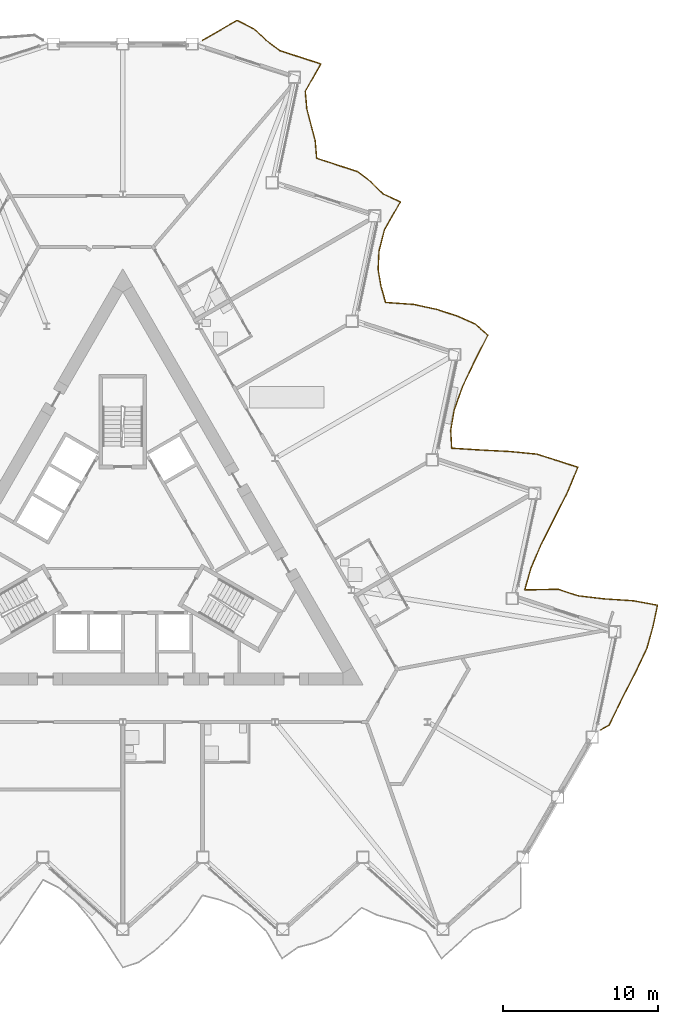
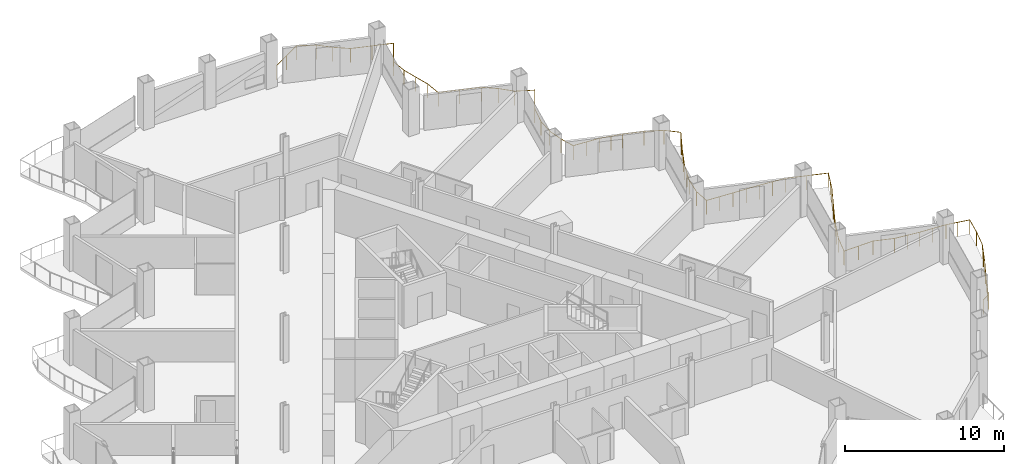
# One storey, part 20 of 22: 1 railing.
"""IFC4 building model written with IfcOpenShell, lengths in metres."""

from ifc_helpers import new_model, si_unit, direction, frame, origin, origin_2d, place, context, subcontext, project, spatial, circle, extrude, material, type_object, element, save


model = new_model("IFC4")

# Units and contexts
model_context = context("Model", 3, precision=1e-05, world=origin(), true_north=direction((0.0, 1.0)))
body_context = subcontext(model_context, "Body", "Model", "MODEL_VIEW")
ifc_project = project(units=[si_unit("LENGTHUNIT", "METRE"), si_unit("AREAUNIT", "SQUARE_METRE"), si_unit("VOLUMEUNIT", "CUBIC_METRE"), si_unit("PLANEANGLEUNIT", "RADIAN"), si_unit("MASSUNIT", "GRAM", prefix="KILO")], contexts=[model_context])

# Site, building, storey
site_placement = place(None, origin())
site = spatial("IfcSite", under=ifc_project, at=site_placement, CompositionType="ELEMENT")
building_placement = place(site_placement, origin())
building = spatial("IfcBuilding", under=site, at=building_placement, Name="Cormorant Prow Tower", CompositionType="ELEMENT")
storey_placement = place(building_placement, frame((0.0, 0.0, 198.0)))
storey = spatial("IfcBuildingStorey", under=building, at=storey_placement, Name="L43", CompositionType="ELEMENT", Elevation=198.0)

# Railing
ifc_material = material(Name="Aluminium 6063-T6", Category="aluminium")
railing_type = type_object("IfcRailingType", Name="Balcony guard 1100", PredefinedType="GUARDRAIL", material=ifc_material)
railing_placement = place(storey_placement, frame((30.84130859375, -11.861083984375, 0.0)))
element("IfcRailing", 1, at=railing_placement, inside=storey, type_object=railing_type, Name="Balcony guard ENE", PredefinedType="GUARDRAIL", context=body_context, shape_type="SweptSolid", body=[
    extrude(circle(Radius=0.02392578125, at=origin_2d()), frame((0.0, 0.0, 1.076171875), z_axis=(0.866038622153, 0.499977104415, 0.0), x_axis=(-0.499977104415, 0.866038622153, 0.0)), (0.0, 0.0, 1.0), 0.63623046875),
    extrude(circle(Radius=0.02392578125, at=origin_2d()), frame((0.551025390625, 0.318115234375, 1.076171875), z_axis=(0.434386355726, 0.900726647746, 0.0), x_axis=(-0.900726647746, 0.434386355726, 0.0)), (0.0, 0.0, 1.0), 1.826171875),
    extrude(circle(Radius=0.02392578125, at=origin_2d()), frame((1.34423828125, 1.962890625, 1.076171875), z_axis=(0.457321852197, 0.889301255764, 0.0), x_axis=(-0.889301255764, 0.457321852197, 0.0)), (0.0, 0.0, 1.0), 1.89794921875),
    extrude(circle(Radius=0.02392578125, at=origin_2d()), frame((2.212158203125, 3.650634765625, 1.076171875), z_axis=(0.428712717597, 0.903440870102, 0.0), x_axis=(-0.903440870102, 0.428712717597, 0.0)), (0.0, 0.0, 1.0), 1.809326171875),
    extrude(circle(Radius=0.02392578125, at=origin_2d()), frame((2.98779296875, 5.28515625, 1.076171875), z_axis=(0.265319371421, 0.964160583694, 0.0), x_axis=(-0.964160583694, 0.265319371421, 0.0)), (0.0, 0.0, 1.0), 1.463134765625),
    extrude(circle(Radius=0.02392578125, at=origin_2d()), frame((3.3759765625, 6.69580078125, 1.076171875), z_axis=(0.207780635717, 0.978175448179, 0.0), x_axis=(-0.978175448179, 0.207780635717, 0.0)), (0.0, 0.0, 1.0), 1.383056640625),
    extrude(circle(Radius=0.02392578125, at=origin_2d()), frame((3.663330078125, 8.048583984375, 1.076171875), z_axis=(-0.983041421692, 0.183383650408, 0.0), x_axis=(-0.183383650408, -0.983041421692, 0.0)), (0.0, 0.0, 1.0), 1.580322265625),
    extrude(circle(Radius=0.02392578125, at=origin_2d()), frame((2.10986328125, 8.33837890625, 1.076171875), z_axis=(-0.9979681925, 0.063714101724, 0.0), x_axis=(-0.063714101724, -0.9979681925, 0.0)), (0.0, 0.0, 1.0), 1.8544921875),
    extrude(circle(Radius=0.02392578125, at=origin_2d()), frame((0.259033203125, 8.45654296875, 1.076171875), z_axis=(-0.993301704928, 0.11554965594, 0.0), x_axis=(-0.11554965594, -0.993301704928, 0.0)), (0.0, 0.0, 1.0), 1.721923828125),
    extrude(circle(Radius=0.02392578125, at=origin_2d()), frame((-1.451416015625, 8.655517578125, 1.076171875), z_axis=(-0.951022391845, 0.309121998909, 0.0), x_axis=(-0.309121998909, -0.951022391845, 0.0)), (0.0, 0.0, 1.0), 1.3828125),
    extrude(circle(Radius=0.02392578125, at=origin_2d()), frame((-2.7666015625, 9.0830078125, 1.076171875), z_axis=(-0.999764166606, -0.021716610456, 0.0), x_axis=(0.021716610456, -0.999764166606, 0.0)), (0.0, 0.0, 1.0), 2.135986328125),
    extrude(circle(Radius=0.02392578125, at=origin_2d()), frame((-4.902099609375, 9.03662109375, 1.076171875), z_axis=(0.274284638474, 0.961648551758, 0.0), x_axis=(-0.961648551758, 0.274284638474, 0.0)), (0.0, 0.0, 1.0), 1.4775390625),
    extrude(circle(Radius=0.02392578125, at=origin_2d()), frame((-4.496826171875, 10.45751953125, 1.076171875), z_axis=(0.396365386796, 0.918092849417, 0.0), x_axis=(-0.918092849417, 0.396365386796, 0.0)), (0.0, 0.0, 1.0), 1.7216796875),
    extrude(circle(Radius=0.02392578125, at=origin_2d()), frame((-3.814453125, 12.0380859375, 1.076171875), z_axis=(0.45064577114, 0.892702855912, 0.0), x_axis=(-0.892702855912, 0.45064577114, 0.0)), (0.0, 0.0, 1.0), 1.876220703125),
    extrude(circle(Radius=0.02392578125, at=origin_2d()), frame((-2.968994140625, 13.712890625, 1.076171875), z_axis=(0.451522217854, 0.89225987626, 0.0), x_axis=(-0.89225987626, 0.451522217854, 0.0)), (0.0, 0.0, 1.0), 1.87890625),
    extrude(circle(Radius=0.02392578125, at=origin_2d()), frame((-2.12060546875, 15.389404296875, 1.076171875), z_axis=(0.382488079888, 0.923960425962, 0.0), x_axis=(-0.923960425962, 0.382488079888, 0.0)), (0.0, 0.0, 1.0), 1.687744140625),
    extrude(circle(Radius=0.02392578125, at=origin_2d()), frame((-1.47509765625, 16.94873046875, 1.076171875), z_axis=(-0.951074280921, 0.308962315131, 0.0), x_axis=(-0.308962315131, -0.951074280921, 0.0)), (0.0, 0.0, 1.0), 1.3828125),
    extrude(circle(Radius=0.02392578125, at=origin_2d()), frame((-2.790283203125, 17.3759765625, 1.076171875), z_axis=(-0.953178854012, 0.302407129981, 0.0), x_axis=(-0.302407129981, -0.953178854012, 0.0)), (0.0, 0.0, 1.0), 1.391845703125),
    extrude(circle(Radius=0.02392578125, at=origin_2d()), frame((-4.116943359375, 17.796875, 1.076171875), z_axis=(-0.995222994307, 0.097627821868, 0.0), x_axis=(-0.097627821868, -0.995222994307, 0.0)), (0.0, 0.0, 1.0), 1.765625),
    extrude(circle(Radius=0.02392578125, at=origin_2d()), frame((-5.8740234375, 17.96923828125, 1.076171875), z_axis=(-0.998698310981, 0.051006701944, 0.0), x_axis=(-0.051006701944, -0.998698310981, 0.0)), (0.0, 0.0, 1.0), 1.890625),
    extrude(circle(Radius=0.02392578125, at=origin_2d()), frame((-7.76220703125, 18.065673828125, 1.076171875), z_axis=(-0.998050532941, 0.062411006207, 0.0), x_axis=(-0.062411006207, -0.998050532941, 0.0)), (0.0, 0.0, 1.0), 1.858154296875),
    extrude(circle(Radius=0.02392578125, at=origin_2d()), frame((-9.61669921875, 18.181640625, 1.076171875), z_axis=(-0.054671928669, 0.998504371656, 0.0), x_axis=(-0.998504371656, -0.054671928669, 0.0)), (0.0, 0.0, 1.0), 1.152099609375),
    extrude(circle(Radius=0.02392578125, at=origin_2d()), frame((-9.6796875, 19.33203125, 1.076171875), z_axis=(0.169491002554, 0.985531734676, 0.0), x_axis=(-0.985531734676, 0.169491002554, 0.0)), (0.0, 0.0, 1.0), 1.336669921875),
    extrude(circle(Radius=0.02392578125, at=origin_2d()), frame((-9.453125, 20.6494140625, 1.076171875), z_axis=(0.336365626232, 0.941731472071, 0.0), x_axis=(-0.941731472071, 0.336365626232, 0.0)), (0.0, 0.0, 1.0), 1.58740234375),
    extrude(circle(Radius=0.02392578125, at=origin_2d()), frame((-8.919189453125, 22.144287109375, 1.076171875), z_axis=(0.426800368359, 0.90434586612, 0.0), x_axis=(-0.90434586612, 0.426800368359, 0.0)), (0.0, 0.0, 1.0), 1.80419921875),
    extrude(circle(Radius=0.02392578125, at=origin_2d()), frame((-8.149169921875, 23.77587890625, 1.076171875), z_axis=(0.45727242389, 0.889326672461, 0.0), x_axis=(-0.889326672461, 0.45727242389, 0.0)), (0.0, 0.0, 1.0), 1.8974609375),
    extrude(circle(Radius=0.02392578125, at=origin_2d()), frame((-7.281494140625, 25.46337890625, 1.076171875), z_axis=(-0.74423652766, 0.667916155588, 0.0), x_axis=(-0.667916155588, -0.74423652766, 0.0)), (0.0, 0.0, 1.0), 1.081298828125),
    extrude(circle(Radius=0.02392578125, at=origin_2d()), frame((-8.086181640625, 26.185546875, 1.076171875), z_axis=(-0.912808812193, 0.408387159914, 0.0), x_axis=(-0.408387159914, -0.912808812193, 0.0)), (0.0, 0.0, 1.0), 1.2685546875),
    extrude(circle(Radius=0.02392578125, at=origin_2d()), frame((-9.244140625, 26.70361328125, 1.076171875), z_axis=(-0.951022391845, 0.309121998909, 0.0), x_axis=(-0.309121998909, -0.951022391845, 0.0)), (0.0, 0.0, 1.0), 1.3828125),
    extrude(circle(Radius=0.02392578125, at=origin_2d()), frame((-10.559326171875, 27.131103515625, 1.076171875), z_axis=(-0.976963635806, 0.21340584414, 0.0), x_axis=(-0.21340584414, -0.976963635806, 0.0)), (0.0, 0.0, 1.0), 1.526123046875),
    extrude(circle(Radius=0.02392578125, at=origin_2d()), frame((-12.05029296875, 27.456787109375, 1.076171875), z_axis=(-0.997534369875, 0.070179633217, 0.0), x_axis=(-0.070179633217, -0.997534369875, 0.0)), (0.0, 0.0, 1.0), 1.8369140625),
    extrude(circle(Radius=0.02392578125, at=origin_2d()), frame((-13.882568359375, 27.585693359375, 1.076171875), z_axis=(-0.275421186292, 0.961323655249, 0.0), x_axis=(-0.961323655249, -0.275421186292, 0.0)), (0.0, 0.0, 1.0), 1.059326171875),
    extrude(circle(Radius=0.02392578125, at=origin_2d()), frame((-14.17431640625, 28.60400390625, 1.076171875), z_axis=(-0.171303521902, 0.9852183024, 0.0), x_axis=(-0.9852183024, -0.171303521902, 0.0)), (0.0, 0.0, 1.0), 1.094482421875),
    extrude(circle(Radius=0.02392578125, at=origin_2d()), frame((-14.36181640625, 29.682373046875, 1.076171875), z_axis=(0.044063016399, 0.999028753633, 0.0), x_axis=(-0.999028753633, 0.044063016399, 0.0)), (0.0, 0.0, 1.0), 1.218994140625),
    extrude(circle(Radius=0.02392578125, at=origin_2d()), frame((-14.30810546875, 30.900146484375, 1.076171875), z_axis=(0.251091426496, 0.967963375103, 0.0), x_axis=(-0.967963375103, 0.251091426496, 0.0)), (0.0, 0.0, 1.0), 1.44189453125),
    extrude(circle(Radius=0.02392578125, at=origin_2d()), frame((-13.946044921875, 32.2958984375, 1.076171875), z_axis=(0.499300137571, 0.866429092668, 0.0), x_axis=(-0.866429092668, 0.499300137571, 0.0)), (0.0, 0.0, 1.0), 2.05224609375),
    extrude(circle(Radius=0.02392578125, at=origin_2d()), frame((-12.92138671875, 34.073974609375, 1.076171875), z_axis=(-0.909342661142, 0.416047983563, 0.0), x_axis=(-0.416047983563, -0.909342661142, 0.0)), (0.0, 0.0, 1.0), 1.260986328125),
    extrude(circle(Radius=0.02392578125, at=origin_2d()), frame((-14.068115234375, 34.5986328125, 1.076171875), z_axis=(-0.70133476746, 0.712832058729, 0.0), x_axis=(-0.712832058729, -0.70133476746, 0.0)), (0.0, 0.0, 1.0), 1.061767578125),
    extrude(circle(Radius=0.02392578125, at=origin_2d()), frame((-14.812744140625, 35.35546875, 1.076171875), z_axis=(-0.794787042108, 0.606888422774, 0.0), x_axis=(-0.606888422774, -0.794787042108, 0.0)), (0.0, 0.0, 1.0), 1.113525390625),
    extrude(circle(Radius=0.02392578125, at=origin_2d()), frame((-15.69775390625, 36.03125, 1.076171875), z_axis=(-0.951091129726, 0.308910444881, 0.0), x_axis=(-0.308910444881, -0.951091129726, 0.0)), (0.0, 0.0, 1.0), 1.383056640625),
    extrude(circle(Radius=0.02392578125, at=origin_2d()), frame((-17.01318359375, 36.45849609375, 1.076171875), z_axis=(-0.951022391845, 0.309121998909, 0.0), x_axis=(-0.309121998909, -0.951022391845, 0.0)), (0.0, 0.0, 1.0), 1.3828125),
    extrude(circle(Radius=0.02392578125, at=origin_2d()), frame((-18.328369140625, 36.885986328125, 1.076171875), z_axis=(-0.08139248574, 0.996682127494, 0.0), x_axis=(-0.996682127494, -0.08139248574, 0.0)), (0.0, 0.0, 1.0), 1.13671875),
    extrude(circle(Radius=0.02392578125, at=origin_2d()), frame((-18.4208984375, 38.01904296875, 1.076171875), z_axis=(-0.260105197921, 0.965580284603, 0.0), x_axis=(-0.965580284603, -0.260105197921, 0.0)), (0.0, 0.0, 1.0), 1.0634765625),
    extrude(circle(Radius=0.02392578125, at=origin_2d()), frame((-18.697509765625, 39.0458984375, 1.076171875), z_axis=(-0.249905704355, 0.968270178685, 0.0), x_axis=(-0.968270178685, -0.249905704355, 0.0)), (0.0, 0.0, 1.0), 1.06689453125),
    extrude(circle(Radius=0.02392578125, at=origin_2d()), frame((-18.964111328125, 40.078857421875, 1.076171875), z_axis=(-0.08562691727, 0.99632727105, 0.0), x_axis=(-0.99632727105, -0.08562691727, 0.0)), (0.0, 0.0, 1.0), 1.134765625),
    extrude(circle(Radius=0.02392578125, at=origin_2d()), frame((-19.061279296875, 41.20947265625, 1.076171875), z_axis=(0.493519437528, 0.869734766916, 0.0), x_axis=(-0.869734766916, 0.493519437528, 0.0)), (0.0, 0.0, 1.0), 2.029296875),
    extrude(circle(Radius=0.02392578125, at=origin_2d()), frame((-18.059814453125, 42.974365234375, 1.076171875), z_axis=(-0.951074280921, 0.308962315131, 0.0), x_axis=(-0.308962315131, -0.951074280921, 0.0)), (0.0, 0.0, 1.0), 1.3828125),
    extrude(circle(Radius=0.02392578125, at=origin_2d()), frame((-19.375, 43.401611328125, 1.076171875), z_axis=(-0.951039257151, 0.309070107511, 0.0), x_axis=(-0.309070107511, -0.951039257151, 0.0)), (0.0, 0.0, 1.0), 1.383056640625),
    extrude(circle(Radius=0.02392578125, at=origin_2d()), frame((-20.6904296875, 43.8291015625, 1.076171875), z_axis=(-0.800235879929, 0.599685364566, 0.0), x_axis=(-0.599685364566, -0.800235879929, 0.0)), (0.0, 0.0, 1.0), 1.117431640625),
    extrude(circle(Radius=0.02392578125, at=origin_2d()), frame((-21.584716796875, 44.499267578125, 1.076171875), z_axis=(-0.730889032015, 0.682496317119, 0.0), x_axis=(-0.682496317119, -0.730889032015, 0.0)), (0.0, 0.0, 1.0), 1.074462890625),
    extrude(circle(Radius=0.02392578125, at=origin_2d()), frame((-22.3701171875, 45.232666015625, 1.076171875), z_axis=(-0.892831454657, 0.450390934161, 0.0), x_axis=(-0.450390934161, -0.892831454657, 0.0)), (0.0, 0.0, 1.0), 1.228271484375),
    extrude(circle(Radius=0.02392578125, at=origin_2d()), frame((-23.466796875, 45.785888671875, 1.076171875), z_axis=(-0.866054294558, -0.499949956374, 0.0), x_axis=(0.499949956374, -0.866054294558, 0.0)), (0.0, 0.0, 1.0), 2.570068359375),
    extrude(circle(Radius=0.02099609375, at=origin_2d()), origin(), (0.0, 0.0, 1.0), 1.052001953125),
    extrude(circle(Radius=0.02099609375, at=origin_2d()), frame((0.551025390625, 0.318115234375, 0.0)), (0.0, 0.0, 1.0), 1.052001953125),
    extrude(circle(Radius=0.02099609375, at=origin_2d()), frame((0.94775390625, 1.140625, 0.0)), (0.0, 0.0, 1.0), 1.052001953125),
    extrude(circle(Radius=0.02099609375, at=origin_2d()), frame((1.34423828125, 1.962890625, 0.0)), (0.0, 0.0, 1.0), 1.052001953125),
    extrude(circle(Radius=0.02099609375, at=origin_2d()), frame((1.7783203125, 2.806640625, 0.0)), (0.0, 0.0, 1.0), 1.052001953125),
    extrude(circle(Radius=0.02099609375, at=origin_2d()), frame((2.212158203125, 3.650634765625, 0.0)), (0.0, 0.0, 1.0), 1.052001953125),
    extrude(circle(Radius=0.02099609375, at=origin_2d()), frame((2.60009765625, 4.4677734375, 0.0)), (0.0, 0.0, 1.0), 1.052001953125),
    extrude(circle(Radius=0.02099609375, at=origin_2d()), frame((2.98779296875, 5.28515625, 0.0)), (0.0, 0.0, 1.0), 1.052001953125),
    extrude(circle(Radius=0.02099609375, at=origin_2d()), frame((3.3759765625, 6.69580078125, 0.0)), (0.0, 0.0, 1.0), 1.052001953125),
    extrude(circle(Radius=0.02099609375, at=origin_2d()), frame((3.663330078125, 8.048583984375, 0.0)), (0.0, 0.0, 1.0), 1.052001953125),
    extrude(circle(Radius=0.02099609375, at=origin_2d()), frame((2.88671875, 8.193359375, 0.0)), (0.0, 0.0, 1.0), 1.052001953125),
    extrude(circle(Radius=0.02099609375, at=origin_2d()), frame((2.10986328125, 8.33837890625, 0.0)), (0.0, 0.0, 1.0), 1.052001953125),
    extrude(circle(Radius=0.02099609375, at=origin_2d()), frame((1.1845703125, 8.3974609375, 0.0)), (0.0, 0.0, 1.0), 1.052001953125),
    extrude(circle(Radius=0.02099609375, at=origin_2d()), frame((0.259033203125, 8.45654296875, 0.0)), (0.0, 0.0, 1.0), 1.052001953125),
    extrude(circle(Radius=0.02099609375, at=origin_2d()), frame((-0.59619140625, 8.55615234375, 0.0)), (0.0, 0.0, 1.0), 1.052001953125),
    extrude(circle(Radius=0.02099609375, at=origin_2d()), frame((-1.451416015625, 8.655517578125, 0.0)), (0.0, 0.0, 1.0), 1.052001953125),
    extrude(circle(Radius=0.02099609375, at=origin_2d()), frame((-2.7666015625, 9.0830078125, 0.0)), (0.0, 0.0, 1.0), 1.052001953125),
    extrude(circle(Radius=0.02099609375, at=origin_2d()), frame((-3.83447265625, 9.059814453125, 0.0)), (0.0, 0.0, 1.0), 1.052001953125),
    extrude(circle(Radius=0.02099609375, at=origin_2d()), frame((-4.902099609375, 9.03662109375, 0.0)), (0.0, 0.0, 1.0), 1.052001953125),
    extrude(circle(Radius=0.02099609375, at=origin_2d()), frame((-4.496826171875, 10.45751953125, 0.0)), (0.0, 0.0, 1.0), 1.052001953125),
    extrude(circle(Radius=0.02099609375, at=origin_2d()), frame((-4.15576171875, 11.247802734375, 0.0)), (0.0, 0.0, 1.0), 1.052001953125),
    extrude(circle(Radius=0.02099609375, at=origin_2d()), frame((-3.814453125, 12.0380859375, 0.0)), (0.0, 0.0, 1.0), 1.052001953125),
    extrude(circle(Radius=0.02099609375, at=origin_2d()), frame((-3.3916015625, 12.87548828125, 0.0)), (0.0, 0.0, 1.0), 1.052001953125),
    extrude(circle(Radius=0.02099609375, at=origin_2d()), frame((-2.968994140625, 13.712890625, 0.0)), (0.0, 0.0, 1.0), 1.052001953125),
    extrude(circle(Radius=0.02099609375, at=origin_2d()), frame((-2.544921875, 14.55126953125, 0.0)), (0.0, 0.0, 1.0), 1.052001953125),
    extrude(circle(Radius=0.02099609375, at=origin_2d()), frame((-2.12060546875, 15.389404296875, 0.0)), (0.0, 0.0, 1.0), 1.052001953125),
    extrude(circle(Radius=0.02099609375, at=origin_2d()), frame((-1.7978515625, 16.1689453125, 0.0)), (0.0, 0.0, 1.0), 1.052001953125),
    extrude(circle(Radius=0.02099609375, at=origin_2d()), frame((-1.47509765625, 16.94873046875, 0.0)), (0.0, 0.0, 1.0), 1.052001953125),
    extrude(circle(Radius=0.02099609375, at=origin_2d()), frame((-2.790283203125, 17.3759765625, 0.0)), (0.0, 0.0, 1.0), 1.052001953125),
    extrude(circle(Radius=0.02099609375, at=origin_2d()), frame((-4.116943359375, 17.796875, 0.0)), (0.0, 0.0, 1.0), 1.052001953125),
    extrude(circle(Radius=0.02099609375, at=origin_2d()), frame((-4.99560546875, 17.883056640625, 0.0)), (0.0, 0.0, 1.0), 1.052001953125),
    extrude(circle(Radius=0.02099609375, at=origin_2d()), frame((-5.8740234375, 17.96923828125, 0.0)), (0.0, 0.0, 1.0), 1.052001953125),
    extrude(circle(Radius=0.02099609375, at=origin_2d()), frame((-6.818115234375, 18.017578125, 0.0)), (0.0, 0.0, 1.0), 1.052001953125),
    extrude(circle(Radius=0.02099609375, at=origin_2d()), frame((-7.76220703125, 18.065673828125, 0.0)), (0.0, 0.0, 1.0), 1.052001953125),
    extrude(circle(Radius=0.02099609375, at=origin_2d()), frame((-8.689453125, 18.12353515625, 0.0)), (0.0, 0.0, 1.0), 1.052001953125),
    extrude(circle(Radius=0.02099609375, at=origin_2d()), frame((-9.61669921875, 18.181640625, 0.0)), (0.0, 0.0, 1.0), 1.052001953125),
    extrude(circle(Radius=0.02099609375, at=origin_2d()), frame((-9.6796875, 19.33203125, 0.0)), (0.0, 0.0, 1.0), 1.052001953125),
    extrude(circle(Radius=0.02099609375, at=origin_2d()), frame((-9.453125, 20.6494140625, 0.0)), (0.0, 0.0, 1.0), 1.052001953125),
    extrude(circle(Radius=0.02099609375, at=origin_2d()), frame((-9.18603515625, 21.39697265625, 0.0)), (0.0, 0.0, 1.0), 1.052001953125),
    extrude(circle(Radius=0.02099609375, at=origin_2d()), frame((-8.919189453125, 22.144287109375, 0.0)), (0.0, 0.0, 1.0), 1.052001953125),
    extrude(circle(Radius=0.02099609375, at=origin_2d()), frame((-8.5341796875, 22.9599609375, 0.0)), (0.0, 0.0, 1.0), 1.052001953125),
    extrude(circle(Radius=0.02099609375, at=origin_2d()), frame((-8.149169921875, 23.77587890625, 0.0)), (0.0, 0.0, 1.0), 1.052001953125),
    extrude(circle(Radius=0.02099609375, at=origin_2d()), frame((-7.71533203125, 24.61962890625, 0.0)), (0.0, 0.0, 1.0), 1.052001953125),
    extrude(circle(Radius=0.02099609375, at=origin_2d()), frame((-7.281494140625, 25.46337890625, 0.0)), (0.0, 0.0, 1.0), 1.052001953125),
    extrude(circle(Radius=0.02099609375, at=origin_2d()), frame((-8.086181640625, 26.185546875, 0.0)), (0.0, 0.0, 1.0), 1.052001953125),
    extrude(circle(Radius=0.02099609375, at=origin_2d()), frame((-9.244140625, 26.70361328125, 0.0)), (0.0, 0.0, 1.0), 1.052001953125),
    extrude(circle(Radius=0.02099609375, at=origin_2d()), frame((-10.559326171875, 27.131103515625, 0.0)), (0.0, 0.0, 1.0), 1.052001953125),
    extrude(circle(Radius=0.02099609375, at=origin_2d()), frame((-11.3046875, 27.2939453125, 0.0)), (0.0, 0.0, 1.0), 1.052001953125),
    extrude(circle(Radius=0.02099609375, at=origin_2d()), frame((-12.05029296875, 27.456787109375, 0.0)), (0.0, 0.0, 1.0), 1.052001953125),
    extrude(circle(Radius=0.02099609375, at=origin_2d()), frame((-12.96630859375, 27.521240234375, 0.0)), (0.0, 0.0, 1.0), 1.052001953125),
    extrude(circle(Radius=0.02099609375, at=origin_2d()), frame((-13.882568359375, 27.585693359375, 0.0)), (0.0, 0.0, 1.0), 1.052001953125),
    extrude(circle(Radius=0.02099609375, at=origin_2d()), frame((-14.17431640625, 28.60400390625, 0.0)), (0.0, 0.0, 1.0), 1.052001953125),
    extrude(circle(Radius=0.02099609375, at=origin_2d()), frame((-14.36181640625, 29.682373046875, 0.0)), (0.0, 0.0, 1.0), 1.052001953125),
    extrude(circle(Radius=0.02099609375, at=origin_2d()), frame((-14.30810546875, 30.900146484375, 0.0)), (0.0, 0.0, 1.0), 1.052001953125),
    extrude(circle(Radius=0.02099609375, at=origin_2d()), frame((-13.946044921875, 32.2958984375, 0.0)), (0.0, 0.0, 1.0), 1.052001953125),
    extrude(circle(Radius=0.02099609375, at=origin_2d()), frame((-13.43359375, 33.18505859375, 0.0)), (0.0, 0.0, 1.0), 1.052001953125),
    extrude(circle(Radius=0.02099609375, at=origin_2d()), frame((-12.92138671875, 34.073974609375, 0.0)), (0.0, 0.0, 1.0), 1.052001953125),
    extrude(circle(Radius=0.02099609375, at=origin_2d()), frame((-14.068115234375, 34.5986328125, 0.0)), (0.0, 0.0, 1.0), 1.052001953125),
    extrude(circle(Radius=0.02099609375, at=origin_2d()), frame((-14.812744140625, 35.35546875, 0.0)), (0.0, 0.0, 1.0), 1.052001953125),
    extrude(circle(Radius=0.02099609375, at=origin_2d()), frame((-15.69775390625, 36.03125, 0.0)), (0.0, 0.0, 1.0), 1.052001953125),
    extrude(circle(Radius=0.02099609375, at=origin_2d()), frame((-17.01318359375, 36.45849609375, 0.0)), (0.0, 0.0, 1.0), 1.052001953125),
    extrude(circle(Radius=0.02099609375, at=origin_2d()), frame((-18.328369140625, 36.885986328125, 0.0)), (0.0, 0.0, 1.0), 1.052001953125),
    extrude(circle(Radius=0.02099609375, at=origin_2d()), frame((-18.4208984375, 38.01904296875, 0.0)), (0.0, 0.0, 1.0), 1.052001953125),
    extrude(circle(Radius=0.02099609375, at=origin_2d()), frame((-18.697509765625, 39.0458984375, 0.0)), (0.0, 0.0, 1.0), 1.052001953125),
    extrude(circle(Radius=0.02099609375, at=origin_2d()), frame((-18.964111328125, 40.078857421875, 0.0)), (0.0, 0.0, 1.0), 1.052001953125),
    extrude(circle(Radius=0.02099609375, at=origin_2d()), frame((-19.061279296875, 41.20947265625, 0.0)), (0.0, 0.0, 1.0), 1.052001953125),
    extrude(circle(Radius=0.02099609375, at=origin_2d()), frame((-18.560546875, 42.091796875, 0.0)), (0.0, 0.0, 1.0), 1.052001953125),
    extrude(circle(Radius=0.02099609375, at=origin_2d()), frame((-18.059814453125, 42.974365234375, 0.0)), (0.0, 0.0, 1.0), 1.052001953125),
    extrude(circle(Radius=0.02099609375, at=origin_2d()), frame((-19.375, 43.401611328125, 0.0)), (0.0, 0.0, 1.0), 1.052001953125),
    extrude(circle(Radius=0.02099609375, at=origin_2d()), frame((-20.6904296875, 43.8291015625, 0.0)), (0.0, 0.0, 1.0), 1.052001953125),
    extrude(circle(Radius=0.02099609375, at=origin_2d()), frame((-21.584716796875, 44.499267578125, 0.0)), (0.0, 0.0, 1.0), 1.052001953125),
    extrude(circle(Radius=0.02099609375, at=origin_2d()), frame((-22.3701171875, 45.232666015625, 0.0)), (0.0, 0.0, 1.0), 1.052001953125),
    extrude(circle(Radius=0.02099609375, at=origin_2d()), frame((-23.466796875, 45.785888671875, 0.0)), (0.0, 0.0, 1.0), 1.052001953125),
    extrude(circle(Radius=0.02099609375, at=origin_2d()), frame((-24.57958984375, 45.1435546875, 0.0)), (0.0, 0.0, 1.0), 1.052001953125),
    extrude(circle(Radius=0.02099609375, at=origin_2d()), frame((-25.692626953125, 44.5009765625, 0.0)), (0.0, 0.0, 1.0), 1.052001953125),
])

save(model, "model.ifc")
